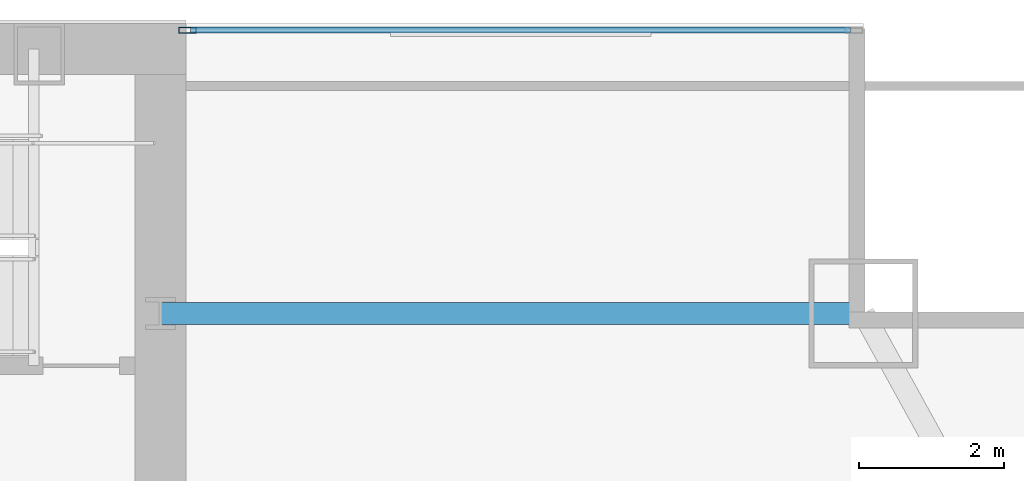
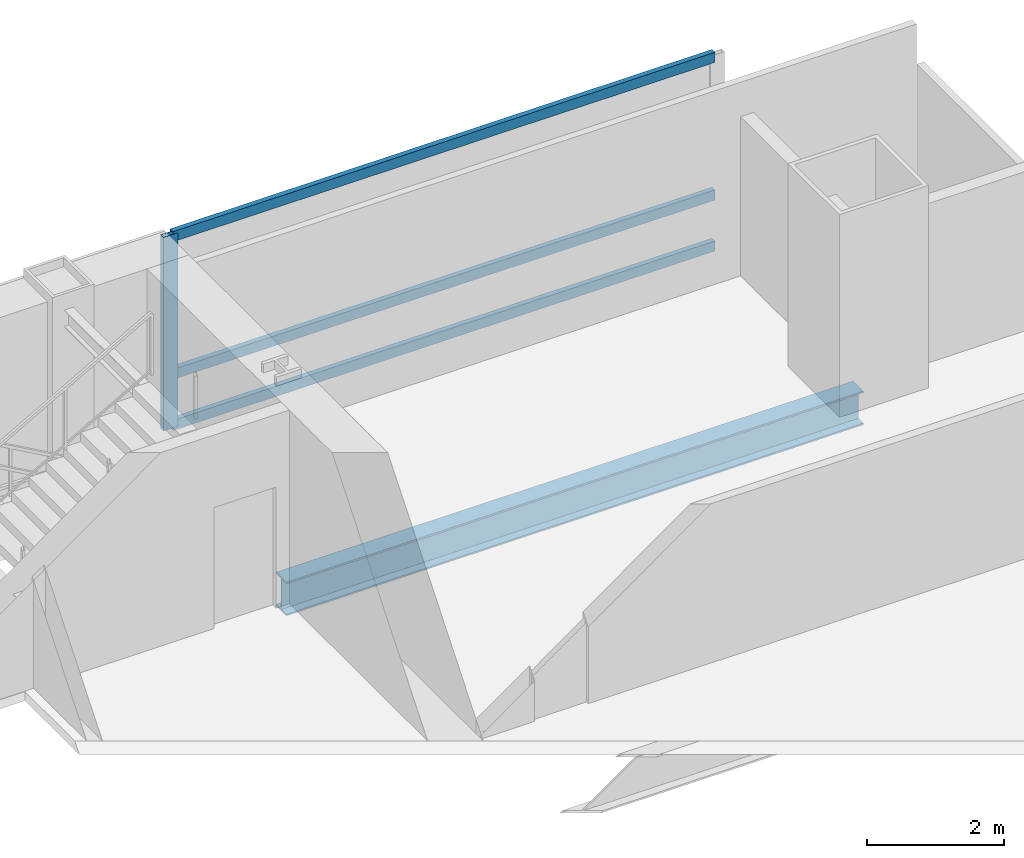
# One storey, part 20 of 33: 4 members, 1 beam, 1 element without a shape of its own.
"""IFC4 building model written with IfcOpenShell, lengths in metres."""

from ifc_helpers import new_model, si_unit, direction, frame, origin, origin_2d, place, context, subcontext, project, spatial, hollow_rectangle, i_section, extrude, material, material_profile, profile_set, type_object, element, aggregate, save


model = new_model("IFC4")

# Units and contexts
model_context = context("Model", 3, precision=1e-05, world=origin(), true_north=direction((0.0, 1.0)))
body_context = subcontext(model_context, "Body", "Model", "MODEL_VIEW")
ifc_project = project(units=[si_unit("LENGTHUNIT", "METRE"), si_unit("AREAUNIT", "SQUARE_METRE"), si_unit("VOLUMEUNIT", "CUBIC_METRE"), si_unit("PLANEANGLEUNIT", "RADIAN"), si_unit("MASSUNIT", "GRAM", prefix="KILO")], contexts=[model_context])

# Site, building, storey
site_placement = place(None, origin())
site = spatial("IfcSite", under=ifc_project, at=site_placement, CompositionType="ELEMENT")
building_placement = place(site_placement, origin())
building = spatial("IfcBuilding", under=site, at=building_placement, Name="Khoronbel Lancet Exchange", CompositionType="ELEMENT")
storey_placement = place(building_placement, frame((0.0, 0.0, 114.60009765625)))
storey = spatial("IfcBuildingStorey", under=building, at=storey_placement, Name="L27", CompositionType="ELEMENT", Elevation=114.60009765625)

# Beam
ifc_material_1 = material(Name="Steel S355", Category="steel")
ifc_material_profile_1 = material_profile(ifc_material_1, i_section(OverallWidth=0.300048828125, OverallDepth=0.60009765625, WebThickness=0.015380859375, FlangeThickness=0.030029296875, at=origin_2d()), Name="HEB 600")
ifc_profile_set_1 = profile_set([ifc_material_profile_1], Name="Steel S355")
beam_type = type_object("IfcBeamType", Name="BM-BSP2", PredefinedType="SPANDREL", material=ifc_profile_set_1)
beam_placement = place(storey_placement, frame((66.050048828125, 49.699951171875, -0.460205078125), z_axis=(-1.0, 0.0, 0.0), x_axis=(0.0, -1.0, 0.0)))
element("IfcBeam", 1, at=beam_placement, inside=storey, type_object=beam_type, Name="Level L27 north flank tie spandrel SP23", PredefinedType="SPANDREL", context=body_context, shape_type="SweptSolid", body=[
    extrude(i_section(OverallWidth=0.300048828125, OverallDepth=0.60009765625, WebThickness=0.015380859375, FlangeThickness=0.030029296875, at=origin_2d()), origin(), (0.0, 0.0, 1.0), 9.699951171875),
])

# Curtain wall, members
ifc_material_2 = material(Name="Low-E Solar Control Insulating Glass", Category="glass")
curtain_wall_type = type_object("IfcCurtainWallType", Name="CW-2", PredefinedType="NOTDEFINED", material=ifc_material_2)
curtain_wall_placement = place(storey_placement, origin())
curtain_wall = element("IfcCurtainWall", 2, at=curtain_wall_placement, inside=storey, type_object=curtain_wall_type, Name="Unitised curtain wall CW-L27-NEFLK", PredefinedType="NOTDEFINED")
ifc_material_3 = material(Name="Bronze-Anodised Aluminium 6063-T6", Category="aluminium")
ifc_material_profile_2 = material_profile(ifc_material_3, hollow_rectangle(XDim=0.0849609375, YDim=0.239990234375, WallThickness=0.006103515625, at=origin_2d()), Name="ALU MULLION 85x240")
ifc_profile_set_2 = profile_set([ifc_material_profile_2], Name="Bronze-Anodised Aluminium 6063-T6")
member_type_1 = type_object("IfcMemberType", Name="MEM-CWM1", PredefinedType="MULLION", material=ifc_profile_set_2)
member_1_placement = place(storey_placement, frame((56.722412109375, 53.610107421875, 0.0), z_axis=(0.0, 0.0, 1.0), x_axis=(0.0, -1.0, 0.0)))
member_1 = element("IfcMember", 3, at=member_1_placement, type_object=member_type_1, Name="CW2 mullion 2", PredefinedType="MULLION", context=body_context, shape_type="SweptSolid", body=[
    extrude(hollow_rectangle(XDim=0.0849609375, YDim=0.239990234375, WallThickness=0.006103515625, at=origin_2d()), origin(), (0.0, 0.0, 1.0), 3.43994140625),
])
ifc_material_profile_3 = material_profile(ifc_material_3, hollow_rectangle(XDim=0.0849609375, YDim=0.179931640625, WallThickness=0.0048828125, at=origin_2d()), Name="ALU TRANSOM 85x180")
ifc_profile_set_3 = profile_set([ifc_material_profile_3], Name="Bronze-Anodised Aluminium 6063-T6")
member_type_2 = type_object("IfcMemberType", Name="MEM-CWT1", PredefinedType="USERDEFINED", material=ifc_profile_set_3)
member_2_placement = place(storey_placement, frame((65.875, 53.610107421875, 0.04248046875), z_axis=(-1.0, 0.0, 0.0), x_axis=(0.0, -1.0, 0.0)))
member_2 = element("IfcMember", 4, at=member_2_placement, type_object=member_type_2, Name="CW2 transom 1.1", ObjectType="TRANSOM", PredefinedType="USERDEFINED", context=body_context, shape_type="SweptSolid", body=[
    extrude(hollow_rectangle(XDim=0.0849609375, YDim=0.179931640625, WallThickness=0.0048828125, at=origin_2d()), origin(), (0.0, 0.0, 1.0), 9.110107421875),
])
member_3_placement = place(storey_placement, frame((65.875, 53.610107421875, 0.949951171875), z_axis=(-1.0, 0.0, 0.0), x_axis=(0.0, -1.0, 0.0)))
member_3 = element("IfcMember", 5, at=member_3_placement, type_object=member_type_2, Name="CW2 transom 1.2", ObjectType="TRANSOM", PredefinedType="USERDEFINED", context=body_context, shape_type="SweptSolid", body=[
    extrude(hollow_rectangle(XDim=0.0849609375, YDim=0.179931640625, WallThickness=0.0048828125, at=origin_2d()), origin(), (0.0, 0.0, 1.0), 9.110107421875),
])
member_4_placement = place(storey_placement, frame((65.875, 53.610107421875, 3.3974609375), z_axis=(-1.0, 0.0, 0.0), x_axis=(0.0, -1.0, 0.0)))
member_4 = element("IfcMember", 6, at=member_4_placement, type_object=member_type_2, Name="CW2 transom 1.3", ObjectType="TRANSOM", PredefinedType="USERDEFINED", context=body_context, shape_type="SweptSolid", body=[
    extrude(hollow_rectangle(XDim=0.0849609375, YDim=0.179931640625, WallThickness=0.0048828125, at=origin_2d()), origin(), (0.0, 0.0, 1.0), 9.110107421875),
])
aggregate(curtain_wall, [member_1, member_2, member_3, member_4])

save(model, "model.ifc")
